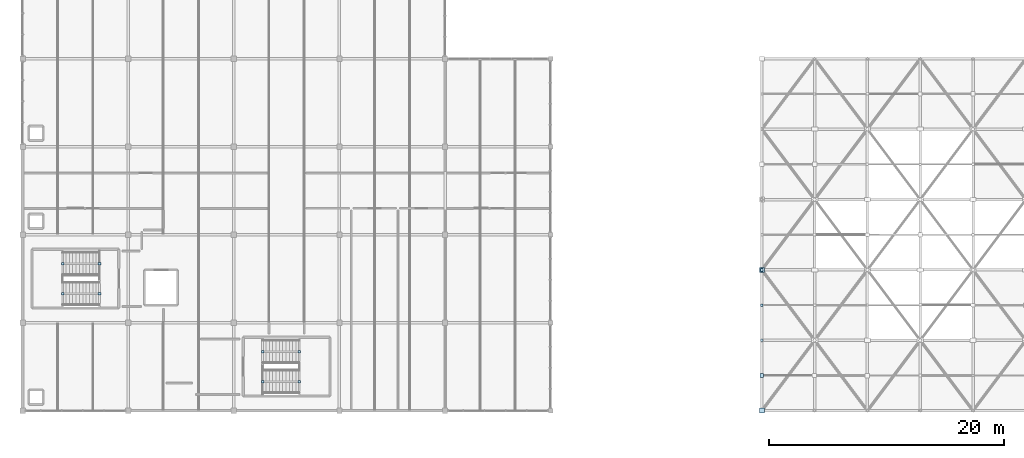
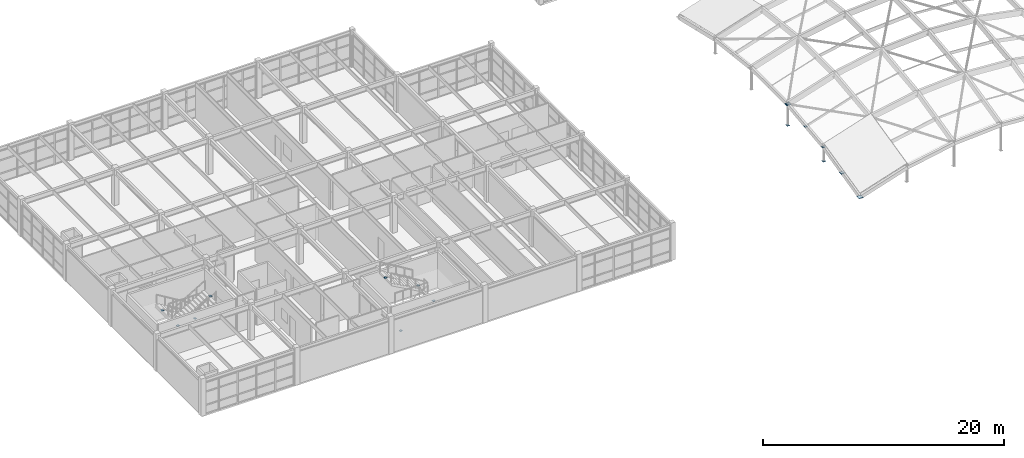
# One storey, part 62 of 81: 16 plates.
"""IFC4 building model written with IfcOpenShell, lengths in metres."""

from ifc_helpers import new_model, si_unit, direction, frame, origin, origin_2d, place, context, subcontext, project, spatial, rectangle, extrude, material, layer, layer_set, type_object, element, save


model = new_model("IFC4")

# Units and contexts
model_context = context("Model", 3, precision=1e-05, world=origin(), true_north=direction((0.0, 1.0)))
body_context = subcontext(model_context, "Body", "Model", "MODEL_VIEW")
ifc_project = project(units=[si_unit("LENGTHUNIT", "METRE"), si_unit("AREAUNIT", "SQUARE_METRE"), si_unit("VOLUMEUNIT", "CUBIC_METRE"), si_unit("PLANEANGLEUNIT", "RADIAN"), si_unit("MASSUNIT", "GRAM", prefix="KILO")], contexts=[model_context])

# Site, building, storey
site_placement = place(None, origin())
site = spatial("IfcSite", under=ifc_project, at=site_placement, CompositionType="ELEMENT")
building_placement = place(site_placement, origin())
building = spatial("IfcBuilding", under=site, at=building_placement, Name="Marnridge Secondary College", CompositionType="ELEMENT")
storey_placement = place(building_placement, frame((0.0, 0.0, 8.5)))
storey = spatial("IfcBuildingStorey", under=building, at=storey_placement, Name="L02", CompositionType="ELEMENT", Elevation=8.5)

# Plates
ifc_material_1 = material(Name="Structural steel plate Grade 350 (AS/NZS 3678, fy = 350 MPa <=12mm, 340 MPa 12-20mm, 330 MPa 20-50mm)", Category="steel")
ifc_layer_1 = layer(ifc_material_1, 0.011962890625)
ifc_layer_set_1 = layer_set([ifc_layer_1], Name="PT-CAP-EXT")
plate_type_1 = type_object("IfcPlateType", Name="PT-CAP-EXT", PredefinedType="SHEET", material=ifc_layer_set_1)
for number, where, z_axis, x_axis, name in (
    (1, (63.0, 6.0, -0.01416015625), (0.0, 0.0, 1.0), (1.0, 0.0, 0.0), "Tube end cap GSP-0065-EC1"),
    (2, (63.0, 6.0, 1.419921875), (0.0, 0.0, 1.0), (1.0, 0.0, 0.0), "Tube end cap GSP-0065-EC2"),
    (3, (63.0, 12.0, -0.01416015625), (0.0, 0.0, 1.0), (1.0, 0.0, 0.0), "Tube end cap GSP-0066-EC1"),
    (4, (63.0, 12.0, 2.1240234375), (0.0, 0.0, 1.0), (1.0, 0.0, 0.0), "Tube end cap GSP-0066-EC2"),
):
    element("IfcPlate", number, at=place(storey_placement, frame(where, z_axis=z_axis, x_axis=x_axis)), inside=storey, type_object=plate_type_1, Name=name, PredefinedType="SHEET", context=body_context, shape_type="SweptSolid", body=[
        extrude(rectangle(XDim=0.239013671875, YDim=0.239013671875, at=origin_2d()), origin(), (0.0, 0.0, 1.0), 0.011962890625),
    ])
for number, where, z_axis, x_axis, name in (
    (5, (63.0, 0.001953125, -0.00537109375), (0.0, 0.0, 1.0), (0.0, 1.0, 0.0), "Tube end cap GR-0140-EC1"),
    (6, (63.0, 11.998046875, 2.10595703125), (0.0, 0.0, 1.0), (0.0, 1.0, 0.0), "Tube end cap GR-0141-EC2"),
):
    element("IfcPlate", number, at=place(storey_placement, frame(where, z_axis=z_axis, x_axis=x_axis)), inside=storey, type_object=plate_type_1, Name=name, PredefinedType="SHEET", context=body_context, shape_type="SweptSolid", body=[
        extrude(rectangle(XDim=0.419921875, YDim=0.419921875, at=origin_2d()), origin(), (0.0, 0.0, 1.0), 0.011962890625),
    ])
plate_1_placement = place(storey_placement, frame((63.001953125, 3.0, 0.61865234375), z_axis=(0.0, 0.0, 1.0), x_axis=(1.0, 0.0, 0.0)))
element("IfcPlate", 7, at=plate_1_placement, inside=storey, type_object=plate_type_1, Name="Tube end cap PR-0079-EC1", PredefinedType="SHEET", context=body_context, shape_type="SweptSolid", body=[
    extrude(rectangle(XDim=0.320068359375, YDim=0.320068359375, at=origin_2d()), origin(), (0.0, 0.0, 1.0), 0.011962890625),
])
plate_2_placement = place(storey_placement, frame((63.001953125, 9.0, 1.6748046875), z_axis=(0.0, 0.0, 1.0), x_axis=(1.0, 0.0, 0.0)))
element("IfcPlate", 8, at=plate_2_placement, inside=storey, type_object=plate_type_1, Name="Tube end cap PR-0080-EC1", PredefinedType="SHEET", context=body_context, shape_type="SweptSolid", body=[
    extrude(rectangle(XDim=0.219970703125, YDim=0.219970703125, at=origin_2d()), origin(), (0.0, 0.0, 1.0), 0.011962890625),
])
ifc_material_2 = material(Name="Structural steel plate Grade 350 (AS/NZS 3678, fy = 350 MPa <=12mm, 340 MPa 12-20mm, 330 MPa 20-50mm)", Category="steel")
ifc_layer_2 = layer(ifc_material_2, 0.010009765625)
ifc_layer_set_2 = layer_set([ifc_layer_2], Name="PT-CAP-INT")
plate_type_2 = type_object("IfcPlateType", Name="PT-CAP-INT", PredefinedType="SHEET", material=ifc_layer_set_2)
for number, where, z_axis, x_axis, name in (
    (9, (6.54833984375, 12.530029296875, -0.14208984375), (0.0, 0.0, 1.0), (-1.0, 0.0, 0.0), "Tube end cap STR-025-EC1"),
    (10, (3.416748046875, 12.530029296875, 1.7861328125), (0.0, 0.0, 1.0), (-1.0, 0.0, 0.0), "Tube end cap STR-025-EC2"),
    (11, (3.416748046875, 9.969970703125, 1.7880859375), (0.0, 0.0, 1.0), (1.0, 0.0, 0.0), "Tube end cap STR-026-EC1"),
    (12, (6.54833984375, 9.969970703125, 3.67578125), (0.0, 0.0, 1.0), (1.0, 0.0, 0.0), "Tube end cap STR-026-EC2"),
    (13, (20.45166015625, 2.469970703125, -0.14208984375), (0.0, 0.0, 1.0), (1.0, 0.0, 0.0), "Tube end cap STR-033-EC1"),
    (14, (23.583251953125, 2.469970703125, 1.7861328125), (0.0, 0.0, 1.0), (1.0, 0.0, 0.0), "Tube end cap STR-033-EC2"),
    (15, (23.583251953125, 5.030029296875, 1.7880859375), (0.0, 0.0, 1.0), (-1.0, 0.0, 0.0), "Tube end cap STR-034-EC1"),
    (16, (20.45166015625, 5.030029296875, 3.67578125), (0.0, 0.0, 1.0), (-1.0, 0.0, 0.0), "Tube end cap STR-034-EC2"),
):
    element("IfcPlate", number, at=place(storey_placement, frame(where, z_axis=z_axis, x_axis=x_axis)), inside=storey, type_object=plate_type_2, Name=name, PredefinedType="SHEET", context=body_context, shape_type="SweptSolid", body=[
        extrude(rectangle(XDim=0.219970703125, YDim=0.219970703125, at=origin_2d()), origin(), (0.0, 0.0, 1.0), 0.010009765625),
    ])

save(model, "model.ifc")
